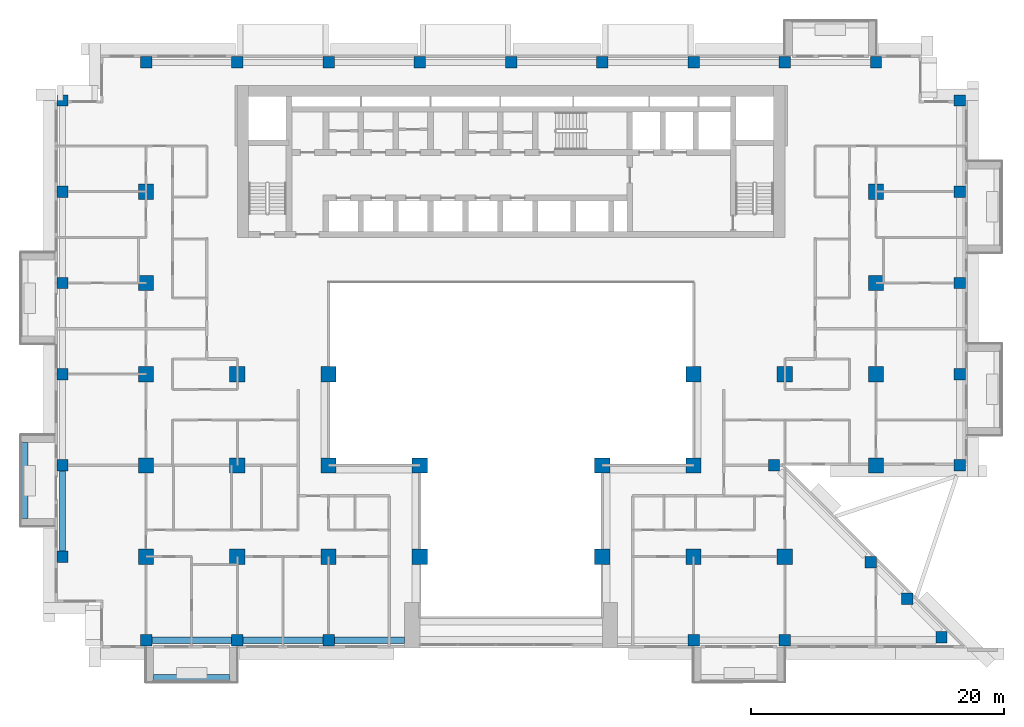
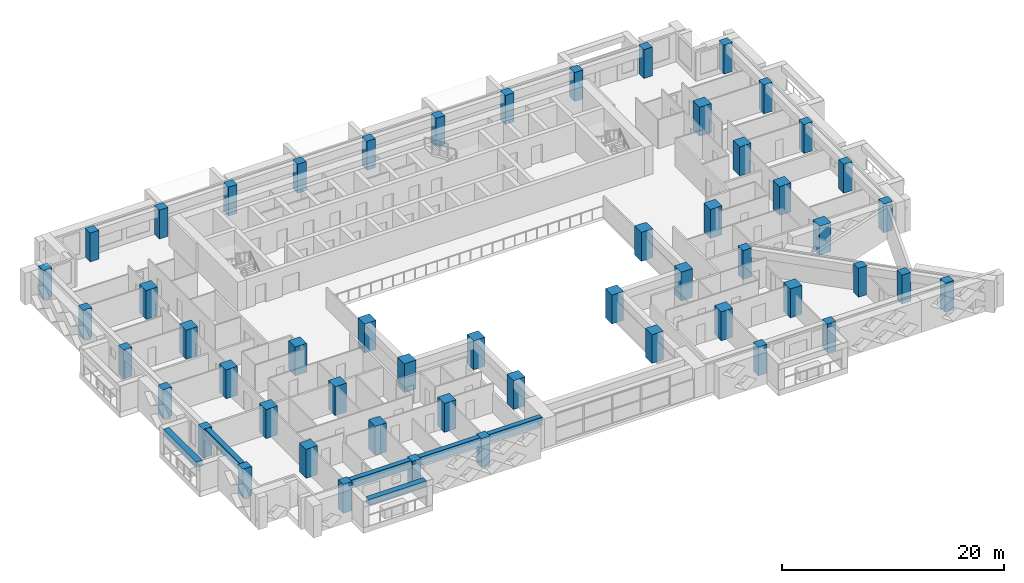
# One storey, part 1 of 17: 53 columns, 6 beams.
"""IFC4 building model written with IfcOpenShell, lengths in metres."""

import ifcopenshell
import ifcopenshell.guid

model = None  # the IFC model being written
_history = None  # IfcOwnerHistory: only IFC2X3 demands one
_inside = {}  # id of a spatial element -> (the spatial element, [elements in it])
_under = {}  # id of a project, library or spatial element -> (it, [spatial elements below it])
_declared = {}  # id of a project -> (the project, [libraries it declares])
_typed = {}  # id of a type object -> (the type object, [elements of that type])
_made_of = {}  # id of a material, layer set ... -> (it, [elements and type objects made of it])


def new_model(schema):
    """Start an empty IFC model of exactly this schema.

    Asked for "IFC4X3", IfcOpenShell would pick the latest addendum, in which some entities
    have other attributes; the version numbers below select the first issue.
    IFC2X3 requires an IfcOwnerHistory on every rooted entity: one is made here for all.
    """
    global model, _history
    if schema == "IFC4X3":
        model = ifcopenshell.file(schema_version=(4, 3, 0, 0))
    else:
        model = ifcopenshell.file(schema=schema)
    _inside.clear()
    _under.clear()
    _declared.clear()
    _typed.clear()
    _made_of.clear()
    _history = None
    if model.schema == "IFC2X3":
        org = make("IfcOrganization", Name="unknown")
        user = make(
            "IfcPersonAndOrganization",
            ThePerson=make("IfcPerson", FamilyName="unknown"),
            TheOrganization=org,
        )
        app = make(
            "IfcApplication",
            ApplicationDeveloper=org,
            Version="unknown",
            ApplicationFullName="unknown",
            ApplicationIdentifier="unknown",
        )
        _history = make(
            "IfcOwnerHistory",
            OwningUser=user,
            OwningApplication=app,
            ChangeAction="ADDED",
            CreationDate=0,
        )
    return model


def make(cls, **values):
    """One entity of the class cls with the attributes given. An attribute that is None is left unset."""
    return model.create_entity(
        cls, **{name: value for name, value in values.items() if value is not None}
    )


def rooted(cls, **values):
    """An entity with a GlobalId (a new one), such as an element, a storey or a relation."""
    return make(cls, GlobalId=ifcopenshell.guid.new(), OwnerHistory=_history, **values)


def si_unit(unit_type, name, prefix=None):
    """IfcSIUnit, for example si_unit("LENGTHUNIT", "METRE", prefix="MILLI")."""
    return make("IfcSIUnit", UnitType=unit_type, Prefix=prefix, Name=name)


def assignment(units):
    """IfcUnitAssignment: the units of a project."""
    return None if units is None else make("IfcUnitAssignment", Units=units)


def point(xyz):
    """IfcCartesianPoint."""
    return None if xyz is None else make("IfcCartesianPoint", Coordinates=xyz)


def direction(xyz):
    """IfcDirection."""
    return None if xyz is None else make("IfcDirection", DirectionRatios=xyz)


def frame(location, z_axis=None, x_axis=None):
    """IfcAxis2Placement3D, a coordinate frame: its origin and axes. An axis left out is left unset."""
    return make(
        "IfcAxis2Placement3D",
        Location=point(location),
        Axis=direction(z_axis),
        RefDirection=direction(x_axis),
    )


def frame_2d(location, x_axis=None):
    """IfcAxis2Placement2D, a coordinate frame in the plane: its origin and x axis."""
    return make(
        "IfcAxis2Placement2D", Location=point(location), RefDirection=direction(x_axis)
    )


def origin():
    """The frame at (0, 0, 0) with its axes left unset."""
    return frame((0.0, 0.0, 0.0))


def origin_2d():
    """The frame at (0, 0) in the plane with its x axis left unset."""
    return frame_2d((0.0, 0.0))


def place(relative_to, where):
    """IfcLocalPlacement: puts the frame where relative to a parent placement (None: the world)."""
    return make(
        "IfcLocalPlacement", PlacementRelTo=relative_to, RelativePlacement=where
    )


def context(
    kind, dimensions, precision=None, world=None, true_north=None, identifier=None
):
    """IfcGeometricRepresentationContext, for example the 3D "Model" context."""
    return make(
        "IfcGeometricRepresentationContext",
        ContextIdentifier=identifier,
        ContextType=kind,
        CoordinateSpaceDimension=dimensions,
        Precision=precision,
        WorldCoordinateSystem=world,
        TrueNorth=true_north,
    )


def subcontext(parent, identifier, kind, view, scale=None):
    """IfcGeometricRepresentationSubContext, for example "Body" below "Model"."""
    return make(
        "IfcGeometricRepresentationSubContext",
        ContextIdentifier=identifier,
        ContextType=kind,
        ParentContext=parent,
        TargetScale=scale,
        TargetView=view,
    )


def project(units=None, contexts=None):
    """IfcProject with its units and contexts."""
    return rooted(
        "IfcProject",
        Name="project",
        RepresentationContexts=contexts,
        UnitsInContext=assignment(units),
    )


def spatial(cls, under=None, at=None, **own):
    """A site, building, storey or space (cls), placed at a placement, below another one or the project."""
    s = rooted(cls, ObjectPlacement=at, **own)
    if under is not None:
        _under.setdefault(under.id(), (under, []))[1].append(s)
    return s


def profile(cls, at=None, kind="AREA", **sizes):
    """A parametric profile (cls). Its sizes go by their IFC names, for example OverallWidth=200.0."""
    return make(cls, ProfileType=kind, Position=at, **sizes)


def rectangle(**sizes):
    """IfcRectangleProfileDef."""
    return profile("IfcRectangleProfileDef", **sizes)


def extrude(swept, where, along, depth):
    """IfcExtrudedAreaSolid: the profile swept, set in the frame where, extruded along a direction by depth."""
    return make(
        "IfcExtrudedAreaSolid",
        SweptArea=swept,
        Position=where,
        ExtrudedDirection=direction(along),
        Depth=depth,
    )


def shape(context_of_items, identifier, shape_type, items):
    """IfcShapeRepresentation: the items that make up one representation, for example the "Body"."""
    return make(
        "IfcShapeRepresentation",
        ContextOfItems=context_of_items,
        RepresentationIdentifier=identifier,
        RepresentationType=shape_type,
        Items=items,
    )


def source(mapping_origin, context_of_items, identifier, shape_type, items):
    """IfcRepresentationMap: a shape defined once, which mapped items show again and again."""
    return make(
        "IfcRepresentationMap",
        MappingOrigin=mapping_origin,
        MappedRepresentation=shape(context_of_items, identifier, shape_type, items),
    )


def transform(
    local_origin,
    x_axis=None,
    y_axis=None,
    z_axis=None,
    scale=None,
    scale2=None,
    scale3=None,
    uniform=True,
):
    """IfcCartesianTransformationOperator3D, or its non-uniform kind. x_axis, y_axis, z_axis: its Axis1, 2, 3."""
    if uniform:
        return make(
            "IfcCartesianTransformationOperator3D",
            Axis1=direction(x_axis),
            Axis2=direction(y_axis),
            LocalOrigin=point(local_origin),
            Scale=scale,
            Axis3=direction(z_axis),
        )
    return make(
        "IfcCartesianTransformationOperator3DnonUniform",
        Axis1=direction(x_axis),
        Axis2=direction(y_axis),
        LocalOrigin=point(local_origin),
        Scale=scale,
        Axis3=direction(z_axis),
        Scale2=scale2,
        Scale3=scale3,
    )


def mapped(mapping_source, mapping_target):
    """IfcMappedItem: shows the shape of a source again, moved by a transform."""
    return make(
        "IfcMappedItem", MappingSource=mapping_source, MappingTarget=mapping_target
    )


def material(Name=None, Category=None):
    """IfcMaterial."""
    return make("IfcMaterial", Name=Name, Category=Category)


def material_profile(
    of_material, cross_section, Name=None, Category=None, Priority=None
):
    """IfcMaterialProfile: a cross section and its material."""
    return make(
        "IfcMaterialProfile",
        Name=Name,
        Material=of_material,
        Profile=cross_section,
        Priority=Priority,
        Category=Category,
    )


def profile_set(profiles, Name=None, composite=None):
    """IfcMaterialProfileSet."""
    return make(
        "IfcMaterialProfileSet",
        Name=Name,
        MaterialProfiles=profiles,
        CompositeProfile=composite,
    )


def made_of(thing, what):
    """Note that an element or type object is made of a material, layer set ...; save() writes the relation."""
    if what is not None:
        _made_of.setdefault(what.id(), (what, []))[1].append(thing)
    return thing


def type_object(cls, material=None, **own):
    """A type object (cls), such as IfcWallType, which elements share."""
    return made_of(rooted(cls, **own), material)


def element(
    cls,
    number,
    at=None,
    inside=None,
    cuts=None,
    type_object=None,
    material=None,
    context=None,
    identifier="Body",
    shape_type=None,
    held_by="IfcProductDefinitionShape",
    body=None,
    shapes=None,
    **own,
):
    """One element of the class cls, such as IfcWall. Its Tag is "e" and its number.

    at: its placement. inside: the storey or other place that contains it. cuts: it is an
    opening in that element (IfcRelVoidsElement). A single representation is given by context,
    identifier, shape_type and body (its items); several are given by shapes. held_by: the class
    of the entity that holds the representations. save() writes the other relations.
    """
    e = rooted(cls, Tag="e%d" % number, ObjectPlacement=at, **own)
    if body is not None:
        shapes = [shape(context, identifier, shape_type, body)]
    if shapes is not None:
        e.Representation = make(held_by, Representations=shapes)
    if inside is not None:
        _inside.setdefault(inside.id(), (inside, []))[1].append(e)
    if cuts is not None:
        rooted(
            "IfcRelVoidsElement", RelatingBuildingElement=cuts, RelatedOpeningElement=e
        )
    if type_object is not None:
        _typed.setdefault(type_object.id(), (type_object, []))[1].append(e)
    return made_of(e, material)


def aggregate(whole, parts):
    """IfcRelAggregates: a whole, such as a stair, and the parts it consists of."""
    return rooted("IfcRelAggregates", RelatingObject=whole, RelatedObjects=parts)


def save(model, path):
    """Write the relations noted so far, then the file.

    IfcRelAggregates (storeys below a building ...), IfcRelContainedInSpatialStructure (elements
    in a storey), IfcRelDefinesByType, IfcRelAssociatesMaterial and IfcRelDeclares: one each for
    every whole, place, type object, material and project.
    """
    for whole, parts in _under.values():
        aggregate(whole, parts)
    for where, things in _inside.values():
        rooted(
            "IfcRelContainedInSpatialStructure",
            RelatedElements=things,
            RelatingStructure=where,
        )
    for kind, things in _typed.values():
        rooted("IfcRelDefinesByType", RelatedObjects=things, RelatingType=kind)
    for what, things in _made_of.values():
        rooted("IfcRelAssociatesMaterial", RelatedObjects=things, RelatingMaterial=what)
    for by, libraries in _declared.values():
        rooted("IfcRelDeclares", RelatingContext=by, RelatedDefinitions=libraries)
    model.write(path)


model = new_model("IFC4")

# Units and contexts
model_context = context("Model", 3, precision=1e-05, world=origin(), true_north=direction((0.0, 1.0)))
body_context = subcontext(model_context, "Body", "Model", "MODEL_VIEW")
ifc_project = project(units=[si_unit("LENGTHUNIT", "METRE"), si_unit("AREAUNIT", "SQUARE_METRE"), si_unit("VOLUMEUNIT", "CUBIC_METRE"), si_unit("PLANEANGLEUNIT", "RADIAN"), si_unit("MASSUNIT", "GRAM", prefix="KILO")], contexts=[model_context])

# Site, building, storey
site_placement = place(None, origin())
site = spatial("IfcSite", under=ifc_project, at=site_placement, CompositionType="ELEMENT")
building_placement = place(site_placement, origin())
building = spatial("IfcBuilding", under=site, at=building_placement, Name="Saffron Iwan Residences", CompositionType="ELEMENT")
storey_placement = place(building_placement, frame((0.0, 0.0, 93.5)))
storey = spatial("IfcBuildingStorey", under=building, at=storey_placement, Name="L24", CompositionType="ELEMENT", Elevation=93.5)

# Columns
ifc_material_1 = material(Name="Concrete C60/75", Category="concrete")
ifc_material_profile_1 = material_profile(ifc_material_1, rectangle(XDim=0.89990234375, YDim=0.89990234375, at=origin_2d()), Name="RC 900x900")
ifc_profile_set_1 = profile_set([ifc_material_profile_1], Name="Concrete C60/75")
column_type_1 = type_object("IfcColumnType", Name="COL RC 900x900 C60/75 3180 HIGH", PredefinedType="COLUMN", material=ifc_profile_set_1)
shared_shape_1 = source(origin(), body_context, "Body", "SweptSolid", [
    extrude(rectangle(XDim=0.89990234375, YDim=0.89990234375, at=origin_2d()), origin(), (0.0, 0.0, 1.0), 3.179931640625),
])
for number, where, z_axis, x_axis, name in (
    (1, (21.60009765625, 34.199951171875, 0.0), (0.0, 0.0, 1.0), (1.0, 0.0, 0.0), "Column C038"),
    (2, (28.800048828125, 34.199951171875, 0.0), (0.0, 0.0, 1.0), (1.0, 0.0, 0.0), "Column C039"),
    (3, (36.0, 34.199951171875, 0.0), (0.0, 0.0, 1.0), (1.0, 0.0, 0.0), "Column C040"),
    (4, (64.800048828125, 34.199951171875, 0.0), (0.0, 0.0, 1.0), (1.0, 0.0, 0.0), "Column C041"),
    (5, (72.0, 34.199951171875, 0.0), (0.0, 0.0, 1.0), (1.0, 0.0, 0.0), "Column C042"),
    (6, (84.367431640625, 34.44189453125, 0.0), (0.0, 0.0, 1.0), (1.0, 0.0, 0.0), "Column C043"),
    (7, (81.65576171875, 37.49560546875, 0.0), (0.0, 0.0, 1.0), (1.0, 0.0, 0.0), "Column C044"),
    (8, (78.775634765625, 40.375732421875, 0.0), (0.0, 0.0, 1.0), (1.0, 0.0, 0.0), "Column C047"),
    (9, (15.0, 40.800048828125, 0.0), (0.0, 0.0, 1.0), (1.0, 0.0, 0.0), "Column C048"),
    (10, (15.0, 48.0, 0.0), (0.0, 0.0, 1.0), (1.0, 0.0, 0.0), "Column C061"),
    (11, (71.14990234375, 48.0, 0.0), (0.0, 0.0, 1.0), (1.0, 0.0, 0.0), "Column C070"),
    (12, (85.800048828125, 48.0, 0.0), (0.0, 0.0, 1.0), (1.0, 0.0, 0.0), "Column C074"),
    (13, (15.0, 55.199951171875, 0.0), (0.0, 0.0, 1.0), (1.0, 0.0, 0.0), "Column C077"),
    (14, (85.800048828125, 55.199951171875, 0.0), (0.0, 0.0, 1.0), (1.0, 0.0, 0.0), "Column C086"),
    (15, (15.0, 62.39990234375, 0.0), (0.0, 0.0, 1.0), (1.0, 0.0, 0.0), "Column C089"),
    (16, (85.800048828125, 62.39990234375, 0.0), (0.0, 0.0, 1.0), (1.0, 0.0, 0.0), "Column C094"),
    (17, (15.0, 69.60009765625, 0.0), (0.0, 0.0, 1.0), (1.0, 0.0, 0.0), "Column C097"),
    (18, (85.800048828125, 69.60009765625, 0.0), (0.0, 0.0, 1.0), (1.0, 0.0, 0.0), "Column C102"),
    (19, (15.0, 76.800048828125, 0.0), (0.0, 0.0, 1.0), (1.0, 0.0, 0.0), "Column C105"),
    (20, (85.800048828125, 76.800048828125, 0.0), (0.0, 0.0, 1.0), (1.0, 0.0, 0.0), "Column C110"),
    (21, (21.60009765625, 79.800048828125, 0.0), (0.0, 0.0, 1.0), (1.0, 0.0, 0.0), "Column C113"),
    (22, (28.800048828125, 79.800048828125, 0.0), (0.0, 0.0, 1.0), (1.0, 0.0, 0.0), "Column C115"),
    (23, (36.0, 79.800048828125, 0.0), (0.0, 0.0, 1.0), (1.0, 0.0, 0.0), "Column C116"),
    (24, (43.199951171875, 79.800048828125, 0.0), (0.0, 0.0, 1.0), (1.0, 0.0, 0.0), "Column C117"),
    (25, (50.39990234375, 79.800048828125, 0.0), (0.0, 0.0, 1.0), (1.0, 0.0, 0.0), "Column C118"),
    (26, (57.60009765625, 79.800048828125, 0.0), (0.0, 0.0, 1.0), (1.0, 0.0, 0.0), "Column C119"),
    (27, (64.800048828125, 79.800048828125, 0.0), (0.0, 0.0, 1.0), (1.0, 0.0, 0.0), "Column C120"),
    (28, (72.0, 79.800048828125, 0.0), (0.0, 0.0, 1.0), (1.0, 0.0, 0.0), "Column C121"),
    (29, (79.199951171875, 79.800048828125, 0.0), (0.0, 0.0, 1.0), (1.0, 0.0, 0.0), "Column C123"),
):
    element("IfcColumn", number, at=place(storey_placement, frame(where, z_axis=z_axis, x_axis=x_axis)), inside=storey, type_object=column_type_1, Name=name, PredefinedType="COLUMN", context=body_context, shape_type="MappedRepresentation", body=[
        mapped(shared_shape_1, transform((0.0, 0.0, 0.0))),
    ])
ifc_material_profile_2 = material_profile(ifc_material_1, rectangle(XDim=1.199951171875, YDim=1.199951171875, at=origin_2d()), Name="RC 1200x1200")
ifc_profile_set_2 = profile_set([ifc_material_profile_2], Name="Concrete C60/75")
column_type_2 = type_object("IfcColumnType", Name="COL RC 1200x1200 C60/75 3180 HIGH", PredefinedType="COLUMN", material=ifc_profile_set_2)
shared_shape_2 = source(origin(), body_context, "Body", "SweptSolid", [
    extrude(rectangle(XDim=1.199951171875, YDim=1.199951171875, at=origin_2d()), origin(), (0.0, 0.0, 1.0), 3.179931640625),
])
for number, where, z_axis, x_axis, name in (
    (30, (21.60009765625, 40.800048828125, 0.0), (0.0, 0.0, 1.0), (1.0, 0.0, 0.0), "Column C049"),
    (31, (28.800048828125, 40.800048828125, 0.0), (0.0, 0.0, 1.0), (1.0, 0.0, 0.0), "Column C051"),
    (32, (36.0, 40.800048828125, 0.0), (0.0, 0.0, 1.0), (1.0, 0.0, 0.0), "Column C052"),
    (33, (43.199951171875, 40.800048828125, 0.0), (0.0, 0.0, 1.0), (1.0, 0.0, 0.0), "Column C053"),
    (34, (57.60009765625, 40.800048828125, 0.0), (0.0, 0.0, 1.0), (1.0, 0.0, 0.0), "Column C054"),
    (35, (64.800048828125, 40.800048828125, 0.0), (0.0, 0.0, 1.0), (1.0, 0.0, 0.0), "Column C055"),
    (36, (72.0, 40.800048828125, 0.0), (0.0, 0.0, 1.0), (1.0, 0.0, 0.0), "Column C056"),
    (37, (21.60009765625, 48.0, 0.0), (0.0, 0.0, 1.0), (1.0, 0.0, 0.0), "Column C063"),
    (38, (28.800048828125, 48.0, 0.0), (0.0, 0.0, 1.0), (1.0, 0.0, 0.0), "Column C064"),
    (39, (36.0, 48.0, 0.0), (0.0, 0.0, 1.0), (1.0, 0.0, 0.0), "Column C065"),
    (40, (43.199951171875, 48.0, 0.0), (0.0, 0.0, 1.0), (1.0, 0.0, 0.0), "Column C066"),
    (41, (57.60009765625, 48.0, 0.0), (0.0, 0.0, 1.0), (1.0, 0.0, 0.0), "Column C068"),
    (42, (64.800048828125, 48.0, 0.0), (0.0, 0.0, 1.0), (1.0, 0.0, 0.0), "Column C069"),
    (43, (79.199951171875, 48.0, 0.0), (0.0, 0.0, 1.0), (1.0, 0.0, 0.0), "Column C072"),
    (44, (21.60009765625, 55.199951171875, 0.0), (0.0, 0.0, 1.0), (1.0, 0.0, 0.0), "Column C079"),
    (45, (28.800048828125, 55.199951171875, 0.0), (0.0, 0.0, 1.0), (1.0, 0.0, 0.0), "Column C080"),
    (46, (36.0, 55.199951171875, 0.0), (0.0, 0.0, 1.0), (1.0, 0.0, 0.0), "Column C081"),
    (47, (64.800048828125, 55.199951171875, 0.0), (0.0, 0.0, 1.0), (1.0, 0.0, 0.0), "Column C082"),
    (48, (72.0, 55.199951171875, 0.0), (0.0, 0.0, 1.0), (1.0, 0.0, 0.0), "Column C083"),
    (49, (79.199951171875, 55.199951171875, 0.0), (0.0, 0.0, 1.0), (1.0, 0.0, 0.0), "Column C084"),
    (50, (21.60009765625, 62.39990234375, 0.0), (0.0, 0.0, 1.0), (1.0, 0.0, 0.0), "Column C091"),
    (51, (79.199951171875, 62.39990234375, 0.0), (0.0, 0.0, 1.0), (1.0, 0.0, 0.0), "Column C092"),
    (52, (21.60009765625, 69.60009765625, 0.0), (0.0, 0.0, 1.0), (1.0, 0.0, 0.0), "Column C099"),
    (53, (79.199951171875, 69.60009765625, 0.0), (0.0, 0.0, 1.0), (1.0, 0.0, 0.0), "Column C100"),
):
    element("IfcColumn", number, at=place(storey_placement, frame(where, z_axis=z_axis, x_axis=x_axis)), inside=storey, type_object=column_type_2, Name=name, PredefinedType="COLUMN", context=body_context, shape_type="MappedRepresentation", body=[
        mapped(shared_shape_2, transform((0.0, 0.0, 0.0))),
    ])

# Beams
ifc_material_profile_3 = material_profile(ifc_material_1, rectangle(XDim=0.5, YDim=0.89990234375, at=origin_2d()), Name="RC 500x900")
ifc_profile_set_3 = profile_set([ifc_material_profile_3], Name="Concrete C60/75")
beam_type_1 = type_object("IfcBeamType", Name="SPANDREL BEAM RC 500x900 C60/75 TOP 3180", PredefinedType="SPANDREL", material=ifc_profile_set_3)
shared_shape_3 = source(origin(), body_context, "Body", "SweptSolid", [
    extrude(rectangle(XDim=0.5, YDim=0.89990234375, at=origin_2d()), origin(), (0.0, 0.0, 1.0), 6.300048828125),
])
for number, where, z_axis, x_axis, name in (
    (54, (28.35009765625, 34.199951171875, 2.72998046875), (-1.0, 0.0, 0.0), (0.0, -1.0, 0.0), "Spandrel beam"),
    (55, (35.550048828125, 34.199951171875, 2.72998046875), (-1.0, 0.0, 0.0), (0.0, -1.0, 0.0), "Spandrel beam"),
    (56, (15.0, 41.25, 2.72998046875), (0.0, 1.0, 0.0), (-1.0, 0.0, 0.0), "Spandrel beam"),
):
    element("IfcBeam", number, at=place(storey_placement, frame(where, z_axis=z_axis, x_axis=x_axis)), inside=storey, type_object=beam_type_1, Name=name, PredefinedType="SPANDREL", context=body_context, shape_type="MappedRepresentation", body=[
        mapped(shared_shape_3, transform((0.0, 0.0, 0.0))),
    ])
shared_shape_4 = source(origin(), body_context, "Body", "SweptSolid", [
    extrude(rectangle(XDim=0.5, YDim=0.89990234375, at=origin_2d()), origin(), (0.0, 0.0, 1.0), 5.550048828125),
])
beam_placement = place(storey_placement, frame((42.0, 34.199951171875, 2.72998046875), z_axis=(-1.0, 0.0, 0.0), x_axis=(0.0, -1.0, 0.0)))
element("IfcBeam", 57, at=beam_placement, inside=storey, type_object=beam_type_1, Name="Spandrel beam", PredefinedType="SPANDREL", context=body_context, shape_type="MappedRepresentation", body=[
    mapped(shared_shape_4, transform((0.0, 0.0, 0.0))),
])
ifc_material_2 = material(Name="Concrete C50/60 white painted", Category="concrete")
ifc_material_profile_4 = material_profile(ifc_material_2, rectangle(XDim=0.60009765625, YDim=0.60009765625, at=origin_2d()), Name="BALCONY FASCIA BEAM 600 x 600")
ifc_profile_set_4 = profile_set([ifc_material_profile_4], Name="Concrete C50/60 white painted")
beam_type_2 = type_object("IfcBeamType", Name="BALCONY FASCIA BEAM 600 x 600", PredefinedType="BEAM", material=ifc_profile_set_4)
shared_shape_5 = source(origin(), body_context, "Body", "SweptSolid", [
    extrude(rectangle(XDim=0.60009765625, YDim=0.60009765625, at=origin_2d()), origin(), (0.0, 0.0, 1.0), 6.0),
])
for number, where, z_axis, x_axis, name in (
    (58, (12.0, 49.800048828125, 2.550048828125), (0.0, -1.0, 0.0), (1.0, 0.0, 0.0), "Balcony fascia beam L24 F8-1"),
    (59, (22.199951171875, 31.199951171875, 2.550048828125), (1.0, 0.0, 0.0), (0.0, 1.0, 0.0), "Balcony fascia beam L24 11-0"),
):
    element("IfcBeam", number, at=place(storey_placement, frame(where, z_axis=z_axis, x_axis=x_axis)), inside=storey, type_object=beam_type_2, Name=name, PredefinedType="BEAM", context=body_context, shape_type="MappedRepresentation", body=[
        mapped(shared_shape_5, transform((0.0, 0.0, 0.0))),
    ])

save(model, "model.ifc")
